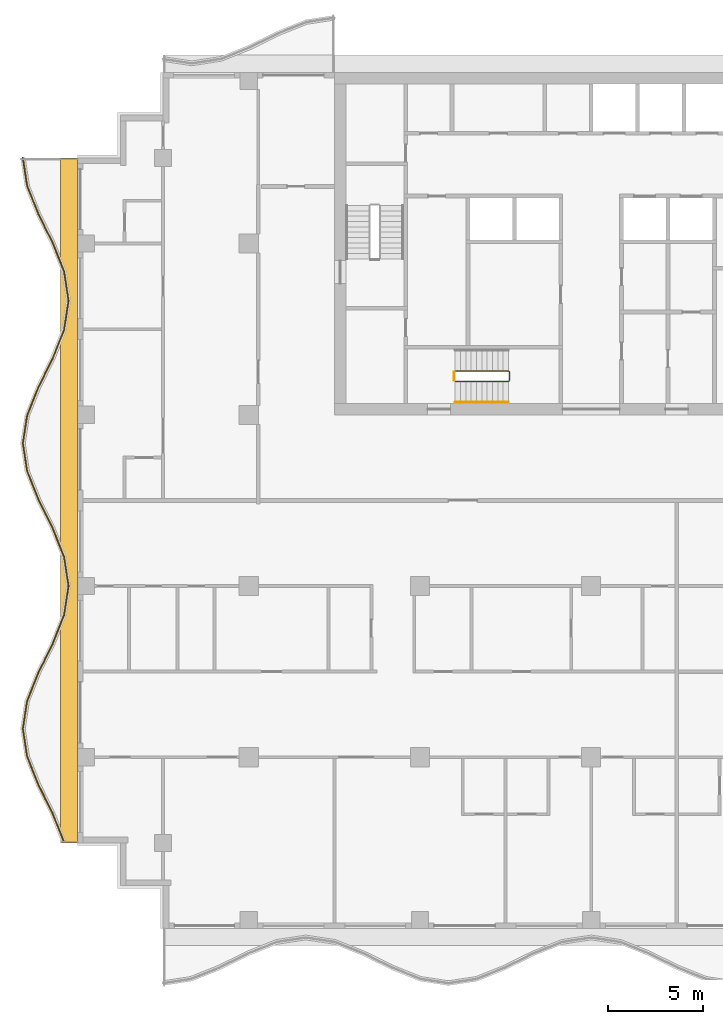
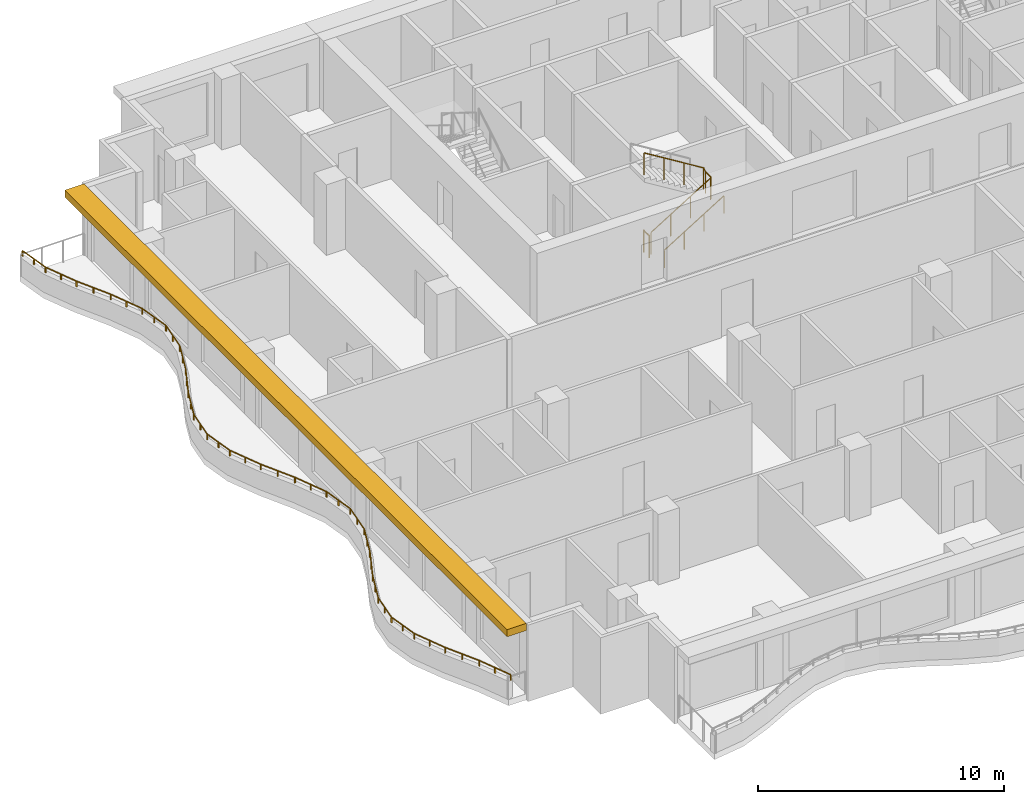
# One storey, part 9 of 11: 4 railings, 1 shading device.
"""IFC4 building model written with IfcOpenShell, lengths in metres."""

import ifcopenshell
import ifcopenshell.guid

model = None  # the IFC model being written
_history = None  # IfcOwnerHistory: only IFC2X3 demands one
_inside = {}  # id of a spatial element -> (the spatial element, [elements in it])
_under = {}  # id of a project, library or spatial element -> (it, [spatial elements below it])
_declared = {}  # id of a project -> (the project, [libraries it declares])
_typed = {}  # id of a type object -> (the type object, [elements of that type])
_made_of = {}  # id of a material, layer set ... -> (it, [elements and type objects made of it])


def new_model(schema):
    """Start an empty IFC model of exactly this schema.

    Asked for "IFC4X3", IfcOpenShell would pick the latest addendum, in which some entities
    have other attributes; the version numbers below select the first issue.
    IFC2X3 requires an IfcOwnerHistory on every rooted entity: one is made here for all.
    """
    global model, _history
    if schema == "IFC4X3":
        model = ifcopenshell.file(schema_version=(4, 3, 0, 0))
    else:
        model = ifcopenshell.file(schema=schema)
    _inside.clear()
    _under.clear()
    _declared.clear()
    _typed.clear()
    _made_of.clear()
    _history = None
    if model.schema == "IFC2X3":
        org = make("IfcOrganization", Name="unknown")
        user = make(
            "IfcPersonAndOrganization",
            ThePerson=make("IfcPerson", FamilyName="unknown"),
            TheOrganization=org,
        )
        app = make(
            "IfcApplication",
            ApplicationDeveloper=org,
            Version="unknown",
            ApplicationFullName="unknown",
            ApplicationIdentifier="unknown",
        )
        _history = make(
            "IfcOwnerHistory",
            OwningUser=user,
            OwningApplication=app,
            ChangeAction="ADDED",
            CreationDate=0,
        )
    return model


def make(cls, **values):
    """One entity of the class cls with the attributes given. An attribute that is None is left unset."""
    return model.create_entity(
        cls, **{name: value for name, value in values.items() if value is not None}
    )


def rooted(cls, **values):
    """An entity with a GlobalId (a new one), such as an element, a storey or a relation."""
    return make(cls, GlobalId=ifcopenshell.guid.new(), OwnerHistory=_history, **values)


def si_unit(unit_type, name, prefix=None):
    """IfcSIUnit, for example si_unit("LENGTHUNIT", "METRE", prefix="MILLI")."""
    return make("IfcSIUnit", UnitType=unit_type, Prefix=prefix, Name=name)


def assignment(units):
    """IfcUnitAssignment: the units of a project."""
    return None if units is None else make("IfcUnitAssignment", Units=units)


def point(xyz):
    """IfcCartesianPoint."""
    return None if xyz is None else make("IfcCartesianPoint", Coordinates=xyz)


def direction(xyz):
    """IfcDirection."""
    return None if xyz is None else make("IfcDirection", DirectionRatios=xyz)


def frame(location, z_axis=None, x_axis=None):
    """IfcAxis2Placement3D, a coordinate frame: its origin and axes. An axis left out is left unset."""
    return make(
        "IfcAxis2Placement3D",
        Location=point(location),
        Axis=direction(z_axis),
        RefDirection=direction(x_axis),
    )


def frame_2d(location, x_axis=None):
    """IfcAxis2Placement2D, a coordinate frame in the plane: its origin and x axis."""
    return make(
        "IfcAxis2Placement2D", Location=point(location), RefDirection=direction(x_axis)
    )


def origin():
    """The frame at (0, 0, 0) with its axes left unset."""
    return frame((0.0, 0.0, 0.0))


def origin_2d():
    """The frame at (0, 0) in the plane with its x axis left unset."""
    return frame_2d((0.0, 0.0))


def place(relative_to, where):
    """IfcLocalPlacement: puts the frame where relative to a parent placement (None: the world)."""
    return make(
        "IfcLocalPlacement", PlacementRelTo=relative_to, RelativePlacement=where
    )


def context(
    kind, dimensions, precision=None, world=None, true_north=None, identifier=None
):
    """IfcGeometricRepresentationContext, for example the 3D "Model" context."""
    return make(
        "IfcGeometricRepresentationContext",
        ContextIdentifier=identifier,
        ContextType=kind,
        CoordinateSpaceDimension=dimensions,
        Precision=precision,
        WorldCoordinateSystem=world,
        TrueNorth=true_north,
    )


def subcontext(parent, identifier, kind, view, scale=None):
    """IfcGeometricRepresentationSubContext, for example "Body" below "Model"."""
    return make(
        "IfcGeometricRepresentationSubContext",
        ContextIdentifier=identifier,
        ContextType=kind,
        ParentContext=parent,
        TargetScale=scale,
        TargetView=view,
    )


def project(units=None, contexts=None):
    """IfcProject with its units and contexts."""
    return rooted(
        "IfcProject",
        Name="project",
        RepresentationContexts=contexts,
        UnitsInContext=assignment(units),
    )


def spatial(cls, under=None, at=None, **own):
    """A site, building, storey or space (cls), placed at a placement, below another one or the project."""
    s = rooted(cls, ObjectPlacement=at, **own)
    if under is not None:
        _under.setdefault(under.id(), (under, []))[1].append(s)
    return s


def polyline(points):
    """IfcPolyline through the points."""
    return make("IfcPolyline", Points=[point(p) for p in points])


def profile(cls, at=None, kind="AREA", **sizes):
    """A parametric profile (cls). Its sizes go by their IFC names, for example OverallWidth=200.0."""
    return make(cls, ProfileType=kind, Position=at, **sizes)


def rectangle(**sizes):
    """IfcRectangleProfileDef."""
    return profile("IfcRectangleProfileDef", **sizes)


def circle(**sizes):
    """IfcCircleProfileDef."""
    return profile("IfcCircleProfileDef", **sizes)


def outline(outer, holes=None, kind="AREA"):
    """IfcArbitraryClosedProfileDef: a profile drawn as a closed curve; with holes, ...WithVoids."""
    if holes is None:
        return make("IfcArbitraryClosedProfileDef", ProfileType=kind, OuterCurve=outer)
    return make(
        "IfcArbitraryProfileDefWithVoids",
        ProfileType=kind,
        OuterCurve=outer,
        InnerCurves=holes,
    )


def extrude(swept, where, along, depth):
    """IfcExtrudedAreaSolid: the profile swept, set in the frame where, extruded along a direction by depth."""
    return make(
        "IfcExtrudedAreaSolid",
        SweptArea=swept,
        Position=where,
        ExtrudedDirection=direction(along),
        Depth=depth,
    )


def shape(context_of_items, identifier, shape_type, items):
    """IfcShapeRepresentation: the items that make up one representation, for example the "Body"."""
    return make(
        "IfcShapeRepresentation",
        ContextOfItems=context_of_items,
        RepresentationIdentifier=identifier,
        RepresentationType=shape_type,
        Items=items,
    )


def material(Name=None, Category=None):
    """IfcMaterial."""
    return make("IfcMaterial", Name=Name, Category=Category)


def layer(
    of_material, thickness, ventilated=None, Name=None, Category=None, Priority=None
):
    """IfcMaterialLayer: one layer of a wall or slab, of a material (None: an air gap)."""
    return make(
        "IfcMaterialLayer",
        Material=of_material,
        LayerThickness=thickness,
        IsVentilated=ventilated,
        Name=Name,
        Category=Category,
        Priority=Priority,
    )


def layer_set(layers, Name=None):
    """IfcMaterialLayerSet."""
    return make("IfcMaterialLayerSet", MaterialLayers=layers, LayerSetName=Name)


def made_of(thing, what):
    """Note that an element or type object is made of a material, layer set ...; save() writes the relation."""
    if what is not None:
        _made_of.setdefault(what.id(), (what, []))[1].append(thing)
    return thing


def type_object(cls, material=None, **own):
    """A type object (cls), such as IfcWallType, which elements share."""
    return made_of(rooted(cls, **own), material)


def element(
    cls,
    number,
    at=None,
    inside=None,
    cuts=None,
    type_object=None,
    material=None,
    context=None,
    identifier="Body",
    shape_type=None,
    held_by="IfcProductDefinitionShape",
    body=None,
    shapes=None,
    **own,
):
    """One element of the class cls, such as IfcWall. Its Tag is "e" and its number.

    at: its placement. inside: the storey or other place that contains it. cuts: it is an
    opening in that element (IfcRelVoidsElement). A single representation is given by context,
    identifier, shape_type and body (its items); several are given by shapes. held_by: the class
    of the entity that holds the representations. save() writes the other relations.
    """
    e = rooted(cls, Tag="e%d" % number, ObjectPlacement=at, **own)
    if body is not None:
        shapes = [shape(context, identifier, shape_type, body)]
    if shapes is not None:
        e.Representation = make(held_by, Representations=shapes)
    if inside is not None:
        _inside.setdefault(inside.id(), (inside, []))[1].append(e)
    if cuts is not None:
        rooted(
            "IfcRelVoidsElement", RelatingBuildingElement=cuts, RelatedOpeningElement=e
        )
    if type_object is not None:
        _typed.setdefault(type_object.id(), (type_object, []))[1].append(e)
    return made_of(e, material)


def aggregate(whole, parts):
    """IfcRelAggregates: a whole, such as a stair, and the parts it consists of."""
    return rooted("IfcRelAggregates", RelatingObject=whole, RelatedObjects=parts)


def save(model, path):
    """Write the relations noted so far, then the file.

    IfcRelAggregates (storeys below a building ...), IfcRelContainedInSpatialStructure (elements
    in a storey), IfcRelDefinesByType, IfcRelAssociatesMaterial and IfcRelDeclares: one each for
    every whole, place, type object, material and project.
    """
    for whole, parts in _under.values():
        aggregate(whole, parts)
    for where, things in _inside.values():
        rooted(
            "IfcRelContainedInSpatialStructure",
            RelatedElements=things,
            RelatingStructure=where,
        )
    for kind, things in _typed.values():
        rooted("IfcRelDefinesByType", RelatedObjects=things, RelatingType=kind)
    for what, things in _made_of.values():
        rooted("IfcRelAssociatesMaterial", RelatedObjects=things, RelatingMaterial=what)
    for by, libraries in _declared.values():
        rooted("IfcRelDeclares", RelatingContext=by, RelatedDefinitions=libraries)
    model.write(path)


model = new_model("IFC4")

# Units and contexts
model_context = context("Model", 3, precision=1e-05, world=origin(), true_north=direction((0.0, 1.0)))
body_context = subcontext(model_context, "Body", "Model", "MODEL_VIEW")
ifc_project = project(units=[si_unit("LENGTHUNIT", "METRE"), si_unit("AREAUNIT", "SQUARE_METRE"), si_unit("VOLUMEUNIT", "CUBIC_METRE"), si_unit("PLANEANGLEUNIT", "RADIAN"), si_unit("MASSUNIT", "GRAM", prefix="KILO")], contexts=[model_context])

# Site, building, storey
site_placement = place(None, origin())
site = spatial("IfcSite", under=ifc_project, at=site_placement, CompositionType="ELEMENT")
building_placement = place(site_placement, origin())
building = spatial("IfcBuilding", under=site, at=building_placement, Name="Orbiselva Terraces", CompositionType="ELEMENT")
storey_placement = place(building_placement, frame((0.0, 0.0, 250.2)))
storey = spatial("IfcBuildingStorey", under=building, at=storey_placement, Name="L63", CompositionType="ELEMENT", Elevation=250.2)

# Railings
ifc_material_1 = material(Name="Stainless steel", Category="steel")
railing_type_1 = type_object("IfcRailingType", Name="CORE-GUARD-1100", PredefinedType="GUARDRAIL", material=ifc_material_1)
railing_1_placement = place(storey_placement, frame((-7.15, 6.25, 0.172727)))
element("IfcRailing", 1, at=railing_1_placement, inside=storey, type_object=railing_type_1, Name="L63 S3 stair guard 1", PredefinedType="GUARDRAIL", context=body_context, shape_type="SweptSolid", body=[
    extrude(circle(Radius=0.024, at=origin_2d()), frame((0.0, 0.0, 1.081), z_axis=(0.851088519012, 0.0, 0.52502222125), x_axis=(0.0, 1.0, 0.0)), (0.0, 0.0, 1.0), 3.289905),
    extrude(circle(Radius=0.024, at=origin_2d()), frame((2.8, 0.0, 2.808273), z_axis=(0.707106781187, 0.707106781187, 0.0), x_axis=(-0.707106781187, 0.707106781187, 0.0)), (0.0, 0.0, 1.0), 0.070711),
    extrude(circle(Radius=0.024, at=origin_2d()), frame((2.85, 0.05, 2.808273), z_axis=(0.0, 1.0, 0.0), x_axis=(-1.0, 0.0, 0.0)), (0.0, 0.0, 1.0), 0.45),
    extrude(circle(Radius=0.024, at=origin_2d()), frame((2.85, 0.5, 2.808273), z_axis=(-0.267894925557, 0.267894925557, 0.925453736133), x_axis=(-0.707106781187, -0.707106781187, 0.0)), (0.0, 0.0, 1.0), 0.18664),
    extrude(circle(Radius=0.024, at=origin_2d()), frame((2.8, 0.55, 2.981), z_axis=(-0.851088519012, 0.0, 0.52502222125), x_axis=(0.0, -1.0, 0.0)), (0.0, 0.0, 1.0), 3.289905),
    extrude(circle(Radius=0.021, at=origin_2d()), origin(), (0.0, 0.0, 1.0), 1.057),
    extrude(circle(Radius=0.021, at=origin_2d()), frame((0.933333, 0.0, 0.575758)), (0.0, 0.0, 1.0), 1.057),
    extrude(circle(Radius=0.021, at=origin_2d()), frame((1.866667, 0.0, 1.151515)), (0.0, 0.0, 1.0), 1.057),
    extrude(circle(Radius=0.021, at=origin_2d()), frame((2.8, 0.0, 1.727273)), (0.0, 0.0, 1.0), 1.057),
    extrude(circle(Radius=0.021, at=origin_2d()), frame((2.85, 0.05, 1.727273)), (0.0, 0.0, 1.0), 1.057),
    extrude(circle(Radius=0.021, at=origin_2d()), frame((2.85, 0.5, 1.727273)), (0.0, 0.0, 1.0), 1.057),
    extrude(circle(Radius=0.021, at=origin_2d()), frame((2.8, 0.55, 1.9)), (0.0, 0.0, 1.0), 1.057),
    extrude(circle(Radius=0.021, at=origin_2d()), frame((1.866667, 0.55, 2.475758)), (0.0, 0.0, 1.0), 1.057),
    extrude(circle(Radius=0.021, at=origin_2d()), frame((0.933333, 0.55, 3.051515)), (0.0, 0.0, 1.0), 1.057),
    extrude(circle(Radius=0.021, at=origin_2d()), frame((0.0, 0.55, 3.627273)), (0.0, 0.0, 1.0), 1.057),
])
railing_2_placement = place(storey_placement, frame((-7.2, 6.3, 0.0)))
element("IfcRailing", 2, at=railing_2_placement, inside=storey, type_object=railing_type_1, Name="L63 S3 stair guard 2", PredefinedType="GUARDRAIL", context=body_context, shape_type="SweptSolid", body=[
    extrude(circle(Radius=0.024, at=origin_2d()), frame((0.0, 0.0, 1.081), z_axis=(0.0, 1.0, 0.0), x_axis=(-1.0, 0.0, 0.0)), (0.0, 0.0, 1.0), 0.45),
    extrude(circle(Radius=0.021, at=origin_2d()), origin(), (0.0, 0.0, 1.0), 1.057),
    extrude(circle(Radius=0.021, at=origin_2d()), frame((0.0, 0.45, 0.0)), (0.0, 0.0, 1.0), 1.057),
])
railing_type_2 = type_object("IfcRailingType", Name="CORE-HANDRAIL-900", PredefinedType="HANDRAIL", material=ifc_material_1)
railing_3_placement = place(storey_placement, frame((-7.15, 5.15, 0.172727)))
element("IfcRailing", 3, at=railing_3_placement, inside=storey, type_object=railing_type_2, Name="L63 S3 stair handrail 1", PredefinedType="HANDRAIL", context=body_context, shape_type="SweptSolid", body=[
    extrude(circle(Radius=0.024, at=origin_2d()), frame((0.0, 0.0, 0.876), z_axis=(0.851088519012, 0.0, 0.52502222125), x_axis=(0.0, 1.0, 0.0)), (0.0, 0.0, 1.0), 3.289905),
    extrude(circle(Radius=0.021, at=origin_2d()), origin(), (0.0, 0.0, 1.0), 0.852),
    extrude(circle(Radius=0.021, at=origin_2d()), frame((0.933333, 0.0, 0.575758)), (0.0, 0.0, 1.0), 0.852),
    extrude(circle(Radius=0.021, at=origin_2d()), frame((1.866667, 0.0, 1.151515)), (0.0, 0.0, 1.0), 0.852),
    extrude(circle(Radius=0.021, at=origin_2d()), frame((2.8, 0.0, 1.727273)), (0.0, 0.0, 1.0), 0.852),
])
ifc_material_2 = material(Name="Bonded two-ply safety glass balustrade, stainless steel posts", Category="steel")
railing_type_3 = type_object("IfcRailingType", Name="ENV-BALUSTRADE-1200", PredefinedType="BALUSTRADE", material=ifc_material_2)
railing_4_placement = place(storey_placement, frame((-29.876434, 18.018879, 0.9)))
element("IfcRailing", 4, at=railing_4_placement, inside=storey, type_object=railing_type_3, Name="Balcony balustrade L63 W", PredefinedType="BALUSTRADE", context=body_context, shape_type="SweptSolid", body=[
    extrude(outline(polyline([(0.028868, 0.0), (0.014434, 0.025), (-0.014434, 0.025), (-0.028868, 0.0), (-0.014434, -0.025), (0.014434, -0.025), (0.028868, 0.0)])), frame((0.0, 0.0, 0.275), z_axis=(0.151034103443, -0.988528552748, 0.0), x_axis=(0.988528552748, 0.151034103443, 0.0)), (0.0, 0.0, 1.0), 1.503038),
    extrude(outline(polyline([(0.028868, 0.0), (0.014434, 0.025), (-0.014434, 0.025), (-0.028868, 0.0), (-0.014434, -0.025), (0.014434, -0.025), (0.028868, 0.0)])), frame((0.22701, -1.485796, 0.275), z_axis=(0.371391000387, -0.928476561272, 0.0), x_axis=(0.928476561272, 0.371391000387, 0.0)), (0.0, 0.0, 1.0), 1.596261),
    extrude(outline(polyline([(0.028868, 0.0), (0.014434, 0.025), (-0.014434, 0.025), (-0.028868, 0.0), (-0.014434, -0.025), (0.014434, -0.025), (0.028868, 0.0)])), frame((0.819847, -2.967887, 0.275), z_axis=(0.443212307306, -0.896416672454, 0.0), x_axis=(0.896416672454, 0.443212307306, 0.0)), (0.0, 0.0, 1.0), 1.673329),
    extrude(outline(polyline([(0.028868, 0.0), (0.014434, 0.025), (-0.014434, 0.025), (-0.028868, 0.0), (-0.014434, -0.025), (0.014434, -0.025), (0.028868, 0.0)])), frame((1.561487, -4.467887, 0.275), z_axis=(0.371390359967, -0.92847681744, 0.0), x_axis=(0.92847681744, 0.371390359967, 0.0)), (0.0, 0.0, 1.0), 1.634838),
    extrude(outline(polyline([(0.028868, 0.0), (0.014434, 0.025), (-0.014434, 0.025), (-0.028868, 0.0), (-0.014434, -0.025), (0.014434, -0.025), (0.028868, 0.0)])), frame((2.16865, -5.985796, 0.275), z_axis=(0.151034211256, -0.988528536275, 0.0), x_axis=(0.988528536275, 0.151034211256, 0.0)), (0.0, 0.0, 1.0), 1.550874),
    extrude(outline(polyline([(0.028868, 0.0), (0.014434, 0.025), (-0.014434, 0.025), (-0.028868, 0.0), (-0.014434, -0.025), (0.014434, -0.025), (0.028868, 0.0)])), frame((2.402885, -7.518879, 0.275), z_axis=(-0.151034211256, -0.988528536275, 0.0), x_axis=(0.988528536275, -0.151034211256, 0.0)), (0.0, 0.0, 1.0), 1.550874),
    extrude(outline(polyline([(0.028868, 0.0), (0.014434, 0.025), (-0.014434, 0.025), (-0.028868, 0.0), (-0.014434, -0.025), (0.014434, -0.025), (0.028868, 0.0)])), frame((2.16865, -9.051962, 0.275), z_axis=(-0.371390359967, -0.92847681744, 0.0), x_axis=(0.92847681744, -0.371390359967, 0.0)), (0.0, 0.0, 1.0), 1.634838),
    extrude(outline(polyline([(0.028868, 0.0), (0.014434, 0.025), (-0.014434, 0.025), (-0.028868, 0.0), (-0.014434, -0.025), (0.014434, -0.025), (0.028868, 0.0)])), frame((1.561487, -10.569871, 0.275), z_axis=(-0.443212307306, -0.896416672454, 0.0), x_axis=(0.896416672454, -0.443212307306, 0.0)), (0.0, 0.0, 1.0), 1.673329),
    extrude(outline(polyline([(0.028868, 0.0), (0.014434, 0.025), (-0.014434, 0.025), (-0.028868, 0.0), (-0.014434, -0.025), (0.014434, -0.025), (0.028868, 0.0)])), frame((0.819847, -12.069871, 0.275), z_axis=(-0.371391000387, -0.928476561272, 0.0), x_axis=(0.928476561272, -0.371391000387, 0.0)), (0.0, 0.0, 1.0), 1.596261),
    extrude(outline(polyline([(0.028868, 0.0), (0.014434, 0.025), (-0.014434, 0.025), (-0.028868, 0.0), (-0.014434, -0.025), (0.014434, -0.025), (0.028868, 0.0)])), frame((0.22701, -13.551962, 0.275), z_axis=(-0.151033749027, -0.988528606898, 0.0), x_axis=(0.988528606898, -0.151033749027, 0.0)), (0.0, 0.0, 1.0), 1.48394),
    extrude(outline(polyline([(0.028868, 0.0), (0.014434, 0.025), (-0.014434, 0.025), (-0.028868, 0.0), (-0.014434, -0.025), (0.014434, -0.025), (0.028868, 0.0)])), frame((0.002885, -15.018879, 0.275), z_axis=(0.151033749027, -0.988528606898, 0.0), x_axis=(0.988528606898, 0.151033749027, 0.0)), (0.0, 0.0, 1.0), 1.48394),
    extrude(outline(polyline([(0.028868, 0.0), (0.014434, 0.025), (-0.014434, 0.025), (-0.028868, 0.0), (-0.014434, -0.025), (0.014434, -0.025), (0.028868, 0.0)])), frame((0.22701, -16.485796, 0.275), z_axis=(0.371391000387, -0.928476561272, 0.0), x_axis=(0.928476561272, 0.371391000387, 0.0)), (0.0, 0.0, 1.0), 1.596261),
    extrude(outline(polyline([(0.028868, 0.0), (0.014434, 0.025), (-0.014434, 0.025), (-0.028868, 0.0), (-0.014434, -0.025), (0.014434, -0.025), (0.028868, 0.0)])), frame((0.819847, -17.967887, 0.275), z_axis=(0.443212307306, -0.896416672454, 0.0), x_axis=(0.896416672454, 0.443212307306, 0.0)), (0.0, 0.0, 1.0), 1.673329),
    extrude(outline(polyline([(0.028868, 0.0), (0.014434, 0.025), (-0.014434, 0.025), (-0.028868, 0.0), (-0.014434, -0.025), (0.014434, -0.025), (0.028868, 0.0)])), frame((1.561487, -19.467887, 0.275), z_axis=(0.371390359967, -0.92847681744, 0.0), x_axis=(0.92847681744, 0.371390359967, 0.0)), (0.0, 0.0, 1.0), 1.634838),
    extrude(outline(polyline([(0.028868, 0.0), (0.014434, 0.025), (-0.014434, 0.025), (-0.028868, 0.0), (-0.014434, -0.025), (0.014434, -0.025), (0.028868, 0.0)])), frame((2.16865, -20.985796, 0.275), z_axis=(0.151034211256, -0.988528536275, 0.0), x_axis=(0.988528536275, 0.151034211256, 0.0)), (0.0, 0.0, 1.0), 1.550874),
    extrude(outline(polyline([(0.028868, 0.0), (0.014434, 0.025), (-0.014434, 0.025), (-0.028868, 0.0), (-0.014434, -0.025), (0.014434, -0.025), (0.028868, 0.0)])), frame((2.402885, -22.518879, 0.275), z_axis=(-0.151034211256, -0.988528536275, 0.0), x_axis=(0.988528536275, -0.151034211256, 0.0)), (0.0, 0.0, 1.0), 1.550874),
    extrude(outline(polyline([(0.028868, 0.0), (0.014434, 0.025), (-0.014434, 0.025), (-0.028868, 0.0), (-0.014434, -0.025), (0.014434, -0.025), (0.028868, 0.0)])), frame((2.16865, -24.051962, 0.275), z_axis=(-0.371390359967, -0.92847681744, 0.0), x_axis=(0.92847681744, -0.371390359967, 0.0)), (0.0, 0.0, 1.0), 1.634838),
    extrude(outline(polyline([(0.028868, 0.0), (0.014434, 0.025), (-0.014434, 0.025), (-0.028868, 0.0), (-0.014434, -0.025), (0.014434, -0.025), (0.028868, 0.0)])), frame((1.561487, -25.569871, 0.275), z_axis=(-0.443212307306, -0.896416672454, 0.0), x_axis=(0.896416672454, -0.443212307306, 0.0)), (0.0, 0.0, 1.0), 1.673329),
    extrude(outline(polyline([(0.028868, 0.0), (0.014434, 0.025), (-0.014434, 0.025), (-0.028868, 0.0), (-0.014434, -0.025), (0.014434, -0.025), (0.028868, 0.0)])), frame((0.819847, -27.069871, 0.275), z_axis=(-0.371391000387, -0.928476561272, 0.0), x_axis=(0.928476561272, -0.371391000387, 0.0)), (0.0, 0.0, 1.0), 1.596261),
    extrude(outline(polyline([(0.028868, 0.0), (0.014434, 0.025), (-0.014434, 0.025), (-0.028868, 0.0), (-0.014434, -0.025), (0.014434, -0.025), (0.028868, 0.0)])), frame((0.22701, -28.551962, 0.275), z_axis=(-0.151033749027, -0.988528606898, 0.0), x_axis=(0.988528606898, -0.151033749027, 0.0)), (0.0, 0.0, 1.0), 1.48394),
    extrude(outline(polyline([(0.028868, 0.0), (0.014434, 0.025), (-0.014434, 0.025), (-0.028868, 0.0), (-0.014434, -0.025), (0.014434, -0.025), (0.028868, 0.0)])), frame((0.002885, -30.018879, 0.275), z_axis=(0.151033749027, -0.988528606898, 0.0), x_axis=(0.988528606898, 0.151033749027, 0.0)), (0.0, 0.0, 1.0), 1.48394),
    extrude(outline(polyline([(0.028868, 0.0), (0.014434, 0.025), (-0.014434, 0.025), (-0.028868, 0.0), (-0.014434, -0.025), (0.014434, -0.025), (0.028868, 0.0)])), frame((0.22701, -31.485796, 0.275), z_axis=(0.371391000387, -0.928476561272, 0.0), x_axis=(0.928476561272, 0.371391000387, 0.0)), (0.0, 0.0, 1.0), 1.596261),
    extrude(outline(polyline([(0.028868, 0.0), (0.014434, 0.025), (-0.014434, 0.025), (-0.028868, 0.0), (-0.014434, -0.025), (0.014434, -0.025), (0.028868, 0.0)])), frame((0.819847, -32.967887, 0.275), z_axis=(0.443212307306, -0.896416672454, 0.0), x_axis=(0.896416672454, 0.443212307306, 0.0)), (0.0, 0.0, 1.0), 1.673329),
    extrude(outline(polyline([(0.028868, 0.0), (0.014434, 0.025), (-0.014434, 0.025), (-0.028868, 0.0), (-0.014434, -0.025), (0.014434, -0.025), (0.028868, 0.0)])), frame((1.561487, -34.467887, 0.275), z_axis=(0.371390569957, -0.928476733444, 0.0), x_axis=(0.928476733444, 0.371390569957, 0.0)), (0.0, 0.0, 1.0), 1.620469),
    extrude(rectangle(XDim=0.05, YDim=0.05, at=origin_2d()), origin(), (0.0, 0.0, 1.0), 0.25),
    extrude(rectangle(XDim=0.05, YDim=0.05, at=origin_2d()), frame((0.113505, -0.742898, 0.0)), (0.0, 0.0, 1.0), 0.25),
    extrude(rectangle(XDim=0.05, YDim=0.05, at=origin_2d()), frame((0.22701, -1.485796, 0.0)), (0.0, 0.0, 1.0), 0.25),
    extrude(rectangle(XDim=0.05, YDim=0.05, at=origin_2d()), frame((0.523428, -2.226841, 0.0)), (0.0, 0.0, 1.0), 0.25),
    extrude(rectangle(XDim=0.05, YDim=0.05, at=origin_2d()), frame((0.819847, -2.967887, 0.0)), (0.0, 0.0, 1.0), 0.25),
    extrude(rectangle(XDim=0.05, YDim=0.05, at=origin_2d()), frame((1.190667, -3.717887, 0.0)), (0.0, 0.0, 1.0), 0.25),
    extrude(rectangle(XDim=0.05, YDim=0.05, at=origin_2d()), frame((1.561487, -4.467887, 0.0)), (0.0, 0.0, 1.0), 0.25),
    extrude(rectangle(XDim=0.05, YDim=0.05, at=origin_2d()), frame((1.865068, -5.226841, 0.0)), (0.0, 0.0, 1.0), 0.25),
    extrude(rectangle(XDim=0.05, YDim=0.05, at=origin_2d()), frame((2.16865, -5.985796, 0.0)), (0.0, 0.0, 1.0), 0.25),
    extrude(rectangle(XDim=0.05, YDim=0.05, at=origin_2d()), frame((2.285768, -6.752337, 0.0)), (0.0, 0.0, 1.0), 0.25),
    extrude(rectangle(XDim=0.05, YDim=0.05, at=origin_2d()), frame((2.402885, -7.518879, 0.0)), (0.0, 0.0, 1.0), 0.25),
    extrude(rectangle(XDim=0.05, YDim=0.05, at=origin_2d()), frame((2.285768, -8.28542, 0.0)), (0.0, 0.0, 1.0), 0.25),
    extrude(rectangle(XDim=0.05, YDim=0.05, at=origin_2d()), frame((2.16865, -9.051962, 0.0)), (0.0, 0.0, 1.0), 0.25),
    extrude(rectangle(XDim=0.05, YDim=0.05, at=origin_2d()), frame((1.865068, -9.810916, 0.0)), (0.0, 0.0, 1.0), 0.25),
    extrude(rectangle(XDim=0.05, YDim=0.05, at=origin_2d()), frame((1.561487, -10.569871, 0.0)), (0.0, 0.0, 1.0), 0.25),
    extrude(rectangle(XDim=0.05, YDim=0.05, at=origin_2d()), frame((1.190667, -11.319871, 0.0)), (0.0, 0.0, 1.0), 0.25),
    extrude(rectangle(XDim=0.05, YDim=0.05, at=origin_2d()), frame((0.819847, -12.069871, 0.0)), (0.0, 0.0, 1.0), 0.25),
    extrude(rectangle(XDim=0.05, YDim=0.05, at=origin_2d()), frame((0.523428, -12.810916, 0.0)), (0.0, 0.0, 1.0), 0.25),
    extrude(rectangle(XDim=0.05, YDim=0.05, at=origin_2d()), frame((0.22701, -13.551962, 0.0)), (0.0, 0.0, 1.0), 0.25),
    extrude(rectangle(XDim=0.05, YDim=0.05, at=origin_2d()), frame((0.114947, -14.28542, 0.0)), (0.0, 0.0, 1.0), 0.25),
    extrude(rectangle(XDim=0.05, YDim=0.05, at=origin_2d()), frame((0.002885, -15.018879, 0.0)), (0.0, 0.0, 1.0), 0.25),
    extrude(rectangle(XDim=0.05, YDim=0.05, at=origin_2d()), frame((0.114947, -15.752337, 0.0)), (0.0, 0.0, 1.0), 0.25),
    extrude(rectangle(XDim=0.05, YDim=0.05, at=origin_2d()), frame((0.22701, -16.485796, 0.0)), (0.0, 0.0, 1.0), 0.25),
    extrude(rectangle(XDim=0.05, YDim=0.05, at=origin_2d()), frame((0.523428, -17.226842, 0.0)), (0.0, 0.0, 1.0), 0.25),
    extrude(rectangle(XDim=0.05, YDim=0.05, at=origin_2d()), frame((0.819847, -17.967887, 0.0)), (0.0, 0.0, 1.0), 0.25),
    extrude(rectangle(XDim=0.05, YDim=0.05, at=origin_2d()), frame((1.190667, -18.717887, 0.0)), (0.0, 0.0, 1.0), 0.25),
    extrude(rectangle(XDim=0.05, YDim=0.05, at=origin_2d()), frame((1.561487, -19.467887, 0.0)), (0.0, 0.0, 1.0), 0.25),
    extrude(rectangle(XDim=0.05, YDim=0.05, at=origin_2d()), frame((1.865068, -20.226842, 0.0)), (0.0, 0.0, 1.0), 0.25),
    extrude(rectangle(XDim=0.05, YDim=0.05, at=origin_2d()), frame((2.16865, -20.985796, 0.0)), (0.0, 0.0, 1.0), 0.25),
    extrude(rectangle(XDim=0.05, YDim=0.05, at=origin_2d()), frame((2.285768, -21.752337, 0.0)), (0.0, 0.0, 1.0), 0.25),
    extrude(rectangle(XDim=0.05, YDim=0.05, at=origin_2d()), frame((2.402885, -22.518879, 0.0)), (0.0, 0.0, 1.0), 0.25),
    extrude(rectangle(XDim=0.05, YDim=0.05, at=origin_2d()), frame((2.285768, -23.28542, 0.0)), (0.0, 0.0, 1.0), 0.25),
    extrude(rectangle(XDim=0.05, YDim=0.05, at=origin_2d()), frame((2.16865, -24.051962, 0.0)), (0.0, 0.0, 1.0), 0.25),
    extrude(rectangle(XDim=0.05, YDim=0.05, at=origin_2d()), frame((1.865068, -24.810916, 0.0)), (0.0, 0.0, 1.0), 0.25),
    extrude(rectangle(XDim=0.05, YDim=0.05, at=origin_2d()), frame((1.561487, -25.569871, 0.0)), (0.0, 0.0, 1.0), 0.25),
    extrude(rectangle(XDim=0.05, YDim=0.05, at=origin_2d()), frame((1.190667, -26.319871, 0.0)), (0.0, 0.0, 1.0), 0.25),
    extrude(rectangle(XDim=0.05, YDim=0.05, at=origin_2d()), frame((0.819847, -27.069871, 0.0)), (0.0, 0.0, 1.0), 0.25),
    extrude(rectangle(XDim=0.05, YDim=0.05, at=origin_2d()), frame((0.523428, -27.810916, 0.0)), (0.0, 0.0, 1.0), 0.25),
    extrude(rectangle(XDim=0.05, YDim=0.05, at=origin_2d()), frame((0.22701, -28.551962, 0.0)), (0.0, 0.0, 1.0), 0.25),
    extrude(rectangle(XDim=0.05, YDim=0.05, at=origin_2d()), frame((0.114947, -29.28542, 0.0)), (0.0, 0.0, 1.0), 0.25),
    extrude(rectangle(XDim=0.05, YDim=0.05, at=origin_2d()), frame((0.002885, -30.018879, 0.0)), (0.0, 0.0, 1.0), 0.25),
    extrude(rectangle(XDim=0.05, YDim=0.05, at=origin_2d()), frame((0.114947, -30.752338, 0.0)), (0.0, 0.0, 1.0), 0.25),
    extrude(rectangle(XDim=0.05, YDim=0.05, at=origin_2d()), frame((0.22701, -31.485796, 0.0)), (0.0, 0.0, 1.0), 0.25),
    extrude(rectangle(XDim=0.05, YDim=0.05, at=origin_2d()), frame((0.523428, -32.226842, 0.0)), (0.0, 0.0, 1.0), 0.25),
    extrude(rectangle(XDim=0.05, YDim=0.05, at=origin_2d()), frame((0.819847, -32.967887, 0.0)), (0.0, 0.0, 1.0), 0.25),
    extrude(rectangle(XDim=0.05, YDim=0.05, at=origin_2d()), frame((1.190667, -33.717887, 0.0)), (0.0, 0.0, 1.0), 0.25),
    extrude(rectangle(XDim=0.05, YDim=0.05, at=origin_2d()), frame((1.561487, -34.467887, 0.0)), (0.0, 0.0, 1.0), 0.25),
    extrude(rectangle(XDim=0.05, YDim=0.05, at=origin_2d()), frame((1.8624, -35.220171, 0.0)), (0.0, 0.0, 1.0), 0.25),
    extrude(rectangle(XDim=0.05, YDim=0.05, at=origin_2d()), frame((2.163314, -35.972455, 0.0)), (0.0, 0.0, 1.0), 0.25),
])

# Shading device
ifc_material_3 = material(Name="Terracotta baguette sunshade", Category="masonry")
ifc_layer = layer(ifc_material_3, 0.35)
ifc_layer_set = layer_set([ifc_layer], Name="Terracotta baguette sunshade")
shading_device_type = type_object("IfcShadingDeviceType", Name="ENV-SUNSHADE-900x350", PredefinedType="USERDEFINED", material=ifc_layer_set)
shading_device_placement = place(storey_placement, frame((0.0, 0.0, 3.15)))
element("IfcShadingDevice", 5, at=shading_device_placement, inside=storey, type_object=shading_device_type, Name="Sunshade band L63 W", ObjectType="SUNSHADE", PredefinedType="USERDEFINED", context=body_context, shape_type="SweptSolid", body=[
    extrude(outline(polyline([(-27.9, 18.0), (-27.9, -18.0), (-27.0, -18.0), (-27.0, 18.0), (-27.9, 18.0)])), origin(), (0.0, 0.0, 1.0), 0.35),
])

save(model, "model.ifc")
